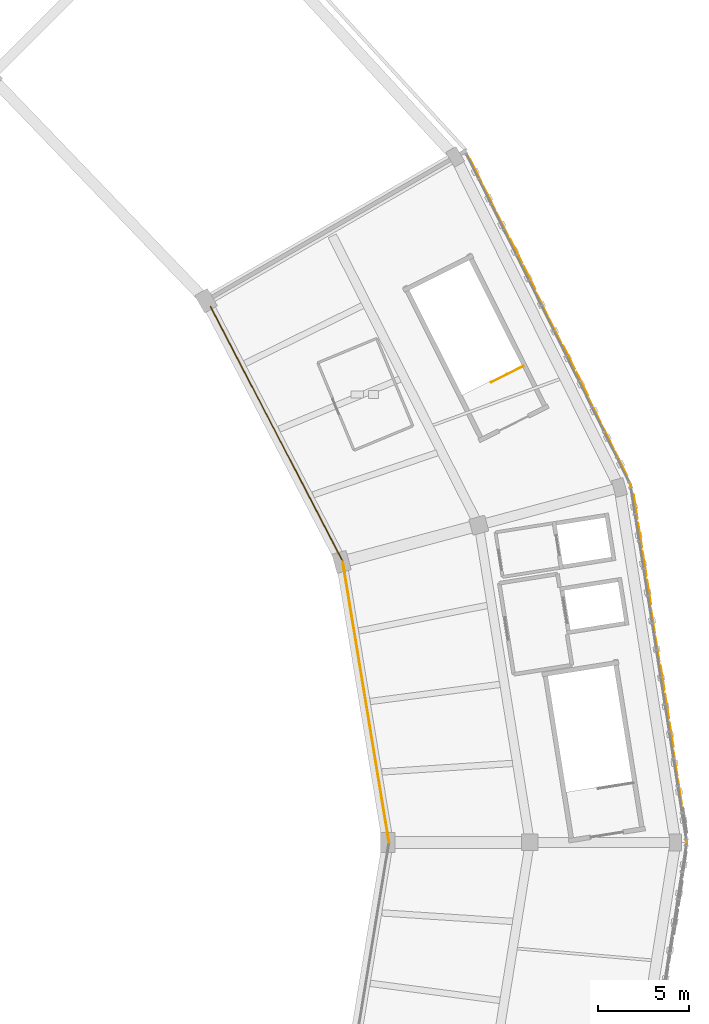
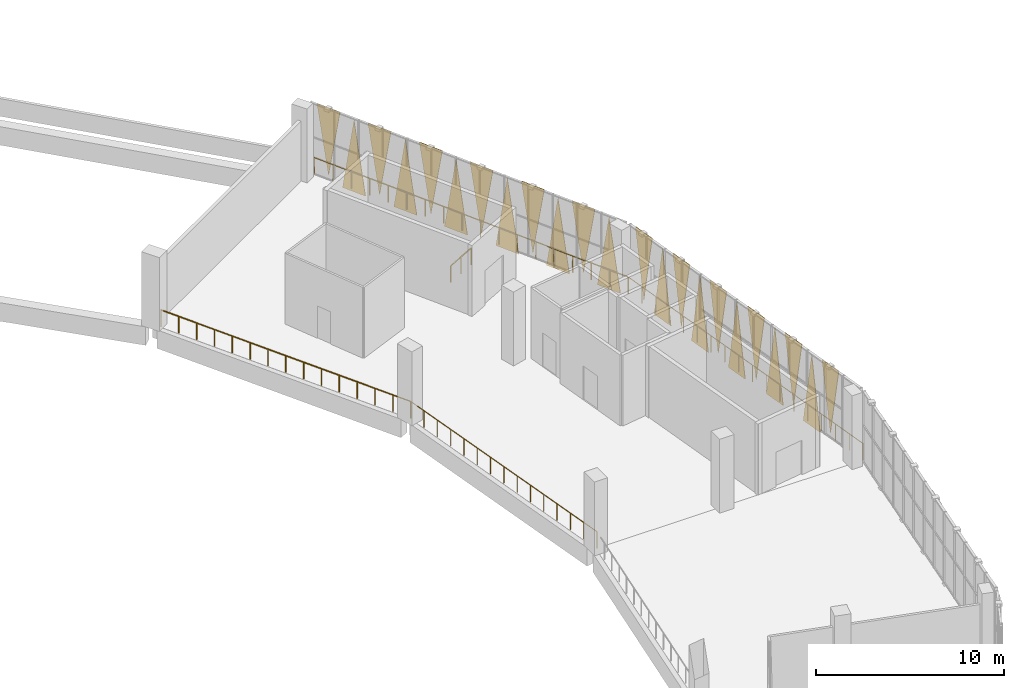
# One storey, part 61 of 64: 23 coverings, 5 railings.
"""IFC4 building model written with IfcOpenShell, lengths in metres."""

from ifc_helpers import new_model, si_unit, direction, frame, origin, origin_2d, place, context, subcontext, project, spatial, polyline, circle, outline, extrude, material, layer, layer_set, type_object, element, save


model = new_model("IFC4")

# Units and contexts
model_context = context("Model", 3, precision=1e-05, world=origin(), true_north=direction((0.0, 1.0)))
body_context = subcontext(model_context, "Body", "Model", "MODEL_VIEW")
ifc_project = project(units=[si_unit("LENGTHUNIT", "METRE"), si_unit("AREAUNIT", "SQUARE_METRE"), si_unit("VOLUMEUNIT", "CUBIC_METRE"), si_unit("PLANEANGLEUNIT", "RADIAN"), si_unit("MASSUNIT", "GRAM", prefix="KILO")], contexts=[model_context])

# Site, building, storey
site_placement = place(None, origin())
site = spatial("IfcSite", under=ifc_project, at=site_placement, CompositionType="ELEMENT")
building_placement = place(site_placement, origin())
building = spatial("IfcBuilding", under=site, at=building_placement, Name="Zevraka Park Crest Stadium", CompositionType="ELEMENT")
storey_placement = place(building_placement, frame((0.0, 0.0, 24.60009765625)))
storey = spatial("IfcBuildingStorey", under=building, at=storey_placement, Name="L05", CompositionType="ELEMENT", Elevation=24.60009765625)

# Coverings
ifc_material_1 = material(Name="Architectural golden-bronze perforated aluminium", Category="aluminium")
ifc_layer = layer(ifc_material_1, 0.034912109375)
ifc_layer_set = layer_set([ifc_layer], Name="Architectural golden-bronze perforated aluminium")
covering_type = type_object("IfcCoveringType", Name="CLD01", PredefinedType="CLADDING", material=ifc_layer_set)
covering_1_placement = place(storey_placement, frame((202.448974609375, 95.49609375, 4.599853515625), z_axis=(0.987787967989, 0.155804140708, 5.818486e-06), x_axis=(0.155804140711, -0.987787968006, 0.0)))
element("IfcCovering", 1, at=covering_1_placement, inside=storey, type_object=covering_type, Name="Triangular Golden-Bronze Perforated Cladding L05-00-2", PredefinedType="CLADDING", context=body_context, shape_type="SweptSolid", body=[
    extrude(outline(polyline([(0.0, 0.0), (1.424376958868296, 0.0), (0.7128103964239846, 4.379882812574141), (0.0, 0.0)])), origin(), (0.0, 0.0, -1.0), 0.034912109375),
])
covering_2_placement = place(storey_placement, frame((202.424072265625, 95.654052734375, -0.22021484375), z_axis=(0.987761575377, 0.155971374908, 2.0427936e-05), x_axis=(-0.15597137494, 0.987761575584, 0.0)))
element("IfcCovering", 2, at=covering_2_placement, inside=storey, type_object=covering_type, Name="Triangular Golden-Bronze Perforated Cladding L05-00-3", PredefinedType="CLADDING", context=body_context, shape_type="SweptSolid", body=[
    extrude(outline(polyline([(0.0, 0.0), (1.4244150174031942, 0.0), (0.7116046268805623, 4.660156250972343), (0.0, 0.0)])), origin(), (0.0, 0.0, -1.0), 0.034912109375),
])
covering_3_placement = place(storey_placement, frame((201.955078125, 98.6259765625, 4.599853515625), z_axis=(-0.987787967194, -0.155804140583, 4.0557424e-05), x_axis=(0.155804140711, -0.987787968006, 0.0)))
element("IfcCovering", 3, at=covering_3_placement, inside=storey, type_object=covering_type, Name="Triangular Golden-Bronze Perforated Cladding L05-00-4", PredefinedType="CLADDING", context=body_context, shape_type="SweptSolid", body=[
    extrude(outline(polyline([(0.0, 0.0), (1.424376958868296, 0.0), (0.7125311991318173, -4.379882816102245), (0.0, 0.0)])), origin(), (0.0, 0.0, -1.0), 0.034912109375),
])
covering_4_placement = place(storey_placement, frame((201.930908203125, 98.783935546875, -0.22021484375), z_axis=(-0.987787967914, -0.155804140697, 1.363096e-05), x_axis=(-0.155804140711, 0.987787968006, 0.0)))
element("IfcCovering", 4, at=covering_4_placement, inside=storey, type_object=covering_type, Name="Triangular Golden-Bronze Perforated Cladding L05-00-5", PredefinedType="CLADDING", context=body_context, shape_type="SweptSolid", body=[
    extrude(outline(polyline([(0.0, 0.0), (1.424376958868296, 0.0), (0.711807721616188, -4.660156250432936), (0.0, 0.0)])), origin(), (0.0, 0.0, -1.0), 0.034912109375),
])
covering_5_placement = place(storey_placement, frame((201.4619140625, 101.756103515625, 4.599853515625), z_axis=(-0.98776157535, -0.155971374903, 2.1735141e-05), x_axis=(0.15597137494, -0.987761575584, 0.0)))
element("IfcCovering", 5, at=covering_5_placement, inside=storey, type_object=covering_type, Name="Triangular Golden-Bronze Perforated Cladding L05-00-6", PredefinedType="CLADDING", context=body_context, shape_type="SweptSolid", body=[
    extrude(outline(polyline([(0.0, 0.0), (1.4244150174031942, -8.470329472543003e-22), (0.712810390522632, -4.3798828135345635), (0.0, 0.0)])), origin(), (0.0, 0.0, -1.0), 0.034912109375),
])
covering_6_placement = place(storey_placement, frame((201.43701171875, 101.9140625, -0.22021484375), z_axis=(0.987787967914, 0.155804140697, 1.363096e-05), x_axis=(-0.155804140711, 0.987787968006, 0.0)))
element("IfcCovering", 6, at=covering_6_placement, inside=storey, type_object=covering_type, Name="Triangular Golden-Bronze Perforated Cladding L05-00-7", PredefinedType="CLADDING", context=body_context, shape_type="SweptSolid", body=[
    extrude(outline(polyline([(0.0, 0.0), (1.424376958868296, 0.0), (0.7125692372521081, 4.660156250432936), (0.0, 0.0)])), origin(), (0.0, 0.0, -1.0), 0.034912109375),
])
covering_7_placement = place(storey_placement, frame((200.968017578125, 104.885986328125, 4.599853515625), z_axis=(0.987787966808, 0.155804140522, 4.9242159e-05), x_axis=(0.155804140711, -0.987787968006, 0.0)))
element("IfcCovering", 7, at=covering_7_placement, inside=storey, type_object=covering_type, Name="Triangular Golden-Bronze Perforated Cladding L05-00-8", PredefinedType="CLADDING", context=body_context, shape_type="SweptSolid", body=[
    extrude(outline(polyline([(0.0, 0.0), (1.424376958868296, -1.6940658945086007e-21), (0.7116046005646023, 4.37988281781015), (0.0, 0.0)])), origin(), (0.0, 0.0, -1.0), 0.034912109375),
])
covering_8_placement = place(storey_placement, frame((200.944091796875, 105.0439453125, -0.22021484375), z_axis=(-0.987761575377, -0.155971374908, 2.0427936e-05), x_axis=(-0.15597137494, 0.987761575584, 0.0)))
element("IfcCovering", 8, at=covering_8_placement, inside=storey, type_object=covering_type, Name="Triangular Golden-Bronze Perforated Cladding L05-00-9", PredefinedType="CLADDING", context=body_context, shape_type="SweptSolid", body=[
    extrude(outline(polyline([(0.0, 0.0), (1.4244150174031942, 0.0), (0.712810390522632, -4.660156250972343), (0.0, 0.0)])), origin(), (0.0, 0.0, -1.0), 0.034912109375),
])
covering_9_placement = place(storey_placement, frame((200.47509765625, 108.01611328125, 4.599853515625), z_axis=(-0.987792127663, -0.155777766142, 1.0163909e-05), x_axis=(0.155777766151, -0.987792127714, 0.0)))
element("IfcCovering", 9, at=covering_9_placement, inside=storey, type_object=covering_type, Name="Triangular Golden-Bronze Perforated Cladding L05-00-10", PredefinedType="CLADDING", context=body_context, shape_type="SweptSolid", body=[
    extrude(outline(polyline([(0.0, 0.0), (1.4246181185479923, 0.0), (0.7118077230585413, -4.379882812726232), (0.0, 0.0)])), origin(), (0.0, 0.0, -1.0), 0.034912109375),
])
covering_10_placement = place(storey_placement, frame((200.449951171875, 108.174072265625, -0.22021484375), z_axis=(-0.987787967288, -0.155804140598, 3.81182e-05), x_axis=(-0.155804140711, 0.987787968006, 0.0)))
element("IfcCovering", 10, at=covering_10_placement, inside=storey, type_object=covering_type, Name="Triangular Golden-Bronze Perforated Cladding L05-00-11", PredefinedType="CLADDING", context=body_context, shape_type="SweptSolid", body=[
    extrude(outline(polyline([(0.0, 0.0), (1.424376958868296, 0.0), (0.7125311991318173, -4.660156253385598), (0.0, 0.0)])), origin(), (0.0, 0.0, -1.0), 0.034912109375),
])
covering_11_placement = place(storey_placement, frame((199.98193359375, 111.14599609375, 4.599853515625), z_axis=(-0.987893266728, -0.155135069649, 6.0981172e-05), x_axis=(0.155135069938, -0.987893268565, 0.0)))
element("IfcCovering", 11, at=covering_11_placement, inside=storey, type_object=covering_type, Name="Triangular Golden-Bronze Perforated Cladding L05-00-12", PredefinedType="CLADDING", context=body_context, shape_type="SweptSolid", body=[
    extrude(outline(polyline([(0.0, 0.0), (1.4242251330644342, -1.6940658945086007e-21), (0.7114527921727644, -4.3798828206437435), (0.0, 0.0)])), origin(), (0.0, 0.0, -1.0), 0.034912109375),
])
covering_12_placement = place(storey_placement, frame((199.6640625, 112.14501953125, -0.22021484375), z_axis=(0.895619480658, 0.444821021261, 7.0067675e-05), x_axis=(-0.444821022353, 0.895619482857, 0.0)))
element("IfcCovering", 12, at=covering_12_placement, inside=storey, type_object=covering_type, Name="Triangular Golden-Bronze Perforated Cladding L05-01-1", PredefinedType="CLADDING", context=body_context, shape_type="SweptSolid", body=[
    extrude(outline(polyline([(0.0, 0.0), (1.4703728050326461, -6.776263578034403e-21), (0.7348033877569146, 4.660156261439471), (0.0, 0.0)])), origin(), (0.0, 0.0, -1.0), 0.034912109375),
])
covering_13_placement = place(storey_placement, frame((198.285888671875, 114.922119140625, 4.599853515625), z_axis=(0.895916762874, 0.444221935253, 0.00016199135), x_axis=(0.444221941081, -0.895916774629, 0.0)))
element("IfcCovering", 13, at=covering_13_placement, inside=storey, type_object=covering_type, Name="Triangular Golden-Bronze Perforated Cladding L05-01-2", PredefinedType="CLADDING", context=body_context, shape_type="SweptSolid", body=[
    extrude(outline(polyline([(0.0, 0.0), (1.4701573953898759, -1.3552527156068805e-20), (0.7350217347288147, 4.379882869966686), (0.0, 0.0)])), origin(), (0.0, 0.0, -1.0), 0.034912109375),
])
covering_14_placement = place(storey_placement, frame((198.215087890625, 115.06494140625, -0.22021484375), z_axis=(0.895916773061, 0.444221940304, 5.9159529e-05), x_axis=(-0.444221941081, 0.895916774629, 0.0)))
element("IfcCovering", 14, at=covering_14_placement, inside=storey, type_object=covering_type, Name="Triangular Golden-Bronze Perforated Cladding L05-01-3", PredefinedType="CLADDING", context=body_context, shape_type="SweptSolid", body=[
    extrude(outline(polyline([(0.0, 0.0), (1.4701573953898759, 0.0), (0.7358966534540385, 4.660156258154923), (0.0, 0.0)])), origin(), (0.0, 0.0, -1.0), 0.034912109375),
])
covering_15_placement = place(storey_placement, frame((196.837890625, 117.843017578125, 4.599853515625), z_axis=(-0.895916769005, -0.444221938292, 0.000112051731), x_axis=(0.444221941081, -0.895916774629, 0.0)))
element("IfcCovering", 15, at=covering_15_placement, inside=storey, type_object=covering_type, Name="Triangular Golden-Bronze Perforated Cladding L05-01-4", PredefinedType="CLADDING", context=body_context, shape_type="SweptSolid", body=[
    extrude(outline(polyline([(0.0, 0.0), (1.4701573953898759, 0.0), (0.7352441132833955, -4.379882839996008), (0.0, 0.0)])), origin(), (0.0, 0.0, -1.0), 0.034912109375),
])
covering_16_placement = place(storey_placement, frame((196.76611328125, 117.986083984375, -0.22021484375), z_axis=(-0.895883991204, -0.444288037907, 0.000116953168), x_axis=(-0.444288040945, 0.895883997331, 0.0)))
element("IfcCovering", 16, at=covering_16_placement, inside=storey, type_object=covering_type, Name="Triangular Golden-Bronze Perforated Cladding L05-01-5", PredefinedType="CLADDING", context=body_context, shape_type="SweptSolid", body=[
    extrude(outline(polyline([(0.0, 0.0), (1.469938669709407, 0.0), (0.7352440750727806, -4.66015628187091), (0.0, 0.0)])), origin(), (0.0, 0.0, -1.0), 0.034912109375),
])
covering_17_placement = place(storey_placement, frame((195.388916015625, 120.762939453125, 4.599853515625), z_axis=(0.89588398371, 0.444288034191, 0.000174374918), x_axis=(0.444288040945, -0.895883997331, 0.0)))
element("IfcCovering", 17, at=covering_17_placement, inside=storey, type_object=covering_type, Name="Triangular Golden-Bronze Perforated Cladding L05-01-6", PredefinedType="CLADDING", context=body_context, shape_type="SweptSolid", body=[
    extrude(outline(polyline([(0.0, 0.0), (1.4699386697094075, -1.3552527156068805e-20), (0.7348030633966232, 4.3798828790887), (0.0, 0.0)])), origin(), (0.0, 0.0, -1.0), 0.034912109375),
])
covering_18_placement = place(storey_placement, frame((195.318115234375, 120.906982421875, -0.22021484375), z_axis=(0.895916760829, 0.444221934239, 0.000175521099), x_axis=(-0.444221941081, 0.895916774629, 0.0)))
element("IfcCovering", 18, at=covering_18_placement, inside=storey, type_object=covering_type, Name="Triangular Golden-Bronze Perforated Cladding L05-01-7", PredefinedType="CLADDING", context=body_context, shape_type="SweptSolid", body=[
    extrude(outline(polyline([(0.0, 0.0), (1.4701573953898759, 0.0), (0.7348030050475087, 4.660156321784249), (0.0, 0.0)])), origin(), (0.0, 0.0, -1.0), 0.034912109375),
])
covering_19_placement = place(storey_placement, frame((193.94091796875, 123.68408203125, 4.599853515625), z_axis=(-0.895916766244, -0.444221936924, 0.000136813266), x_axis=(0.444221941081, -0.895916774629, 0.0)))
element("IfcCovering", 19, at=covering_19_placement, inside=storey, type_object=covering_type, Name="Triangular Golden-Bronze Perforated Cladding L05-01-8", PredefinedType="CLADDING", context=body_context, shape_type="SweptSolid", body=[
    extrude(outline(polyline([(0.0, 0.0), (1.4701573953898759, 0.0), (0.7354628429647014, -4.37988285349104), (0.0, 0.0)])), origin(), (0.0, 0.0, -1.0), 0.034912109375),
])
covering_20_placement = place(storey_placement, frame((193.868896484375, 123.826904296875, -0.22021484375), z_axis=(-0.89598285047, -0.444088626906, 0.000152042501), x_axis=(-0.444088632039, 0.895982860826, 0.0)))
element("IfcCovering", 20, at=covering_20_placement, inside=storey, type_object=covering_type, Name="Triangular Golden-Bronze Perforated Cladding L05-01-9", PredefinedType="CLADDING", context=body_context, shape_type="SweptSolid", body=[
    extrude(outline(polyline([(0.0, 0.0), (1.4700489590400176, -1.3552527156068805e-20), (0.7353545039067246, -4.660156303864236), (0.0, 0.0)])), origin(), (0.0, 0.0, -1.0), 0.034912109375),
])
covering_21_placement = place(storey_placement, frame((192.491943359375, 126.60498046875, 4.599853515625), z_axis=(0.89588399479, 0.444288039685, 7.5314042e-05), x_axis=(0.444288040945, -0.895883997331, 0.0)))
element("IfcCovering", 21, at=covering_21_placement, inside=storey, type_object=covering_type, Name="Triangular Golden-Bronze Perforated Cladding L05-01-10", PredefinedType="CLADDING", context=body_context, shape_type="SweptSolid", body=[
    extrude(outline(polyline([(0.0, 0.0), (1.469938669709407, 0.0), (0.7356779501127663, 4.379882824921798), (0.0, 0.0)])), origin(), (0.0, 0.0, -1.0), 0.034912109375),
])
covering_22_placement = place(storey_placement, frame((192.4208984375, 126.748046875, -0.22021484375), z_axis=(0.895950091947, 0.444154717439, 0.000140413329), x_axis=(-0.444154721818, 0.89595010078, 0.0)))
element("IfcCovering", 22, at=covering_22_placement, inside=storey, type_object=covering_type, Name="Triangular Golden-Bronze Perforated Cladding L05-01-11", PredefinedType="CLADDING", context=body_context, shape_type="SweptSolid", body=[
    extrude(outline(polyline([(0.0, 0.0), (1.4698302172231181, 0.0), (0.7346945053991754, 4.660156295939595), (0.0, 0.0)])), origin(), (0.0, 0.0, -1.0), 0.034912109375),
])
covering_23_placement = place(storey_placement, frame((191.04296875, 129.52490234375, 4.599853515625), z_axis=(0.895619480368, 0.444821021117, 7.4551381e-05), x_axis=(0.444821022353, -0.895619482857, 0.0)))
element("IfcCovering", 23, at=covering_23_placement, inside=storey, type_object=covering_type, Name="Triangular Golden-Bronze Perforated Cladding L05-01-12", PredefinedType="CLADDING", context=body_context, shape_type="SweptSolid", body=[
    extrude(outline(polyline([(0.0, 0.0), (1.4703728050326461, 0.0), (0.7348033877569146, 4.379882824671494), (0.0, 0.0)])), origin(), (0.0, 0.0, -1.0), 0.034912109375),
])

# Railings
ifc_material_2 = material(Name="Galvanised and bronze-finished steel balustrade", Category="steel")
railing_type_1 = type_object("IfcRailingType", Name="GR01", PredefinedType="GUARDRAIL", material=ifc_material_2)
railing_1_placement = place(storey_placement, frame((186.569091796875, 91.9970703125, 0.0)))
element("IfcRailing", 24, at=railing_1_placement, inside=storey, type_object=railing_type_1, Name="Deck Edge Protection Guardrail GR01 L05-3", PredefinedType="GUARDRAIL", context=body_context, shape_type="SweptSolid", body=[
    extrude(circle(Radius=0.02392578125, at=origin_2d()), frame((0.0, 0.0, 1.076171875), z_axis=(-0.162649137145, 0.986683970776, 0.0), x_axis=(-0.986683970776, -0.162649137145, 0.0)), (0.0, 0.0, 1.0), 15.63623046875),
    extrude(circle(Radius=0.02099609375, at=origin_2d()), origin(), (0.0, 0.0, 1.0), 1.052001953125),
    extrude(circle(Radius=0.02099609375, at=origin_2d()), frame((-0.181640625, 1.10205078125, 0.0)), (0.0, 0.0, 1.0), 1.052001953125),
    extrude(circle(Radius=0.02099609375, at=origin_2d()), frame((-0.36328125, 2.2041015625, 0.0)), (0.0, 0.0, 1.0), 1.052001953125),
    extrude(circle(Radius=0.02099609375, at=origin_2d()), frame((-0.544921875, 3.305908203125, 0.0)), (0.0, 0.0, 1.0), 1.052001953125),
    extrude(circle(Radius=0.02099609375, at=origin_2d()), frame((-0.7265625, 4.407958984375, 0.0)), (0.0, 0.0, 1.0), 1.052001953125),
    extrude(circle(Radius=0.02099609375, at=origin_2d()), frame((-0.908203125, 5.510009765625, 0.0)), (0.0, 0.0, 1.0), 1.052001953125),
    extrude(circle(Radius=0.02099609375, at=origin_2d()), frame((-1.08984375, 6.612060546875, 0.0)), (0.0, 0.0, 1.0), 1.052001953125),
    extrude(circle(Radius=0.02099609375, at=origin_2d()), frame((-1.271484375, 7.7138671875, 0.0)), (0.0, 0.0, 1.0), 1.052001953125),
    extrude(circle(Radius=0.02099609375, at=origin_2d()), frame((-1.453369140625, 8.81591796875, 0.0)), (0.0, 0.0, 1.0), 1.052001953125),
    extrude(circle(Radius=0.02099609375, at=origin_2d()), frame((-1.635009765625, 9.91796875, 0.0)), (0.0, 0.0, 1.0), 1.052001953125),
    extrude(circle(Radius=0.02099609375, at=origin_2d()), frame((-1.816650390625, 11.02001953125, 0.0)), (0.0, 0.0, 1.0), 1.052001953125),
    extrude(circle(Radius=0.02099609375, at=origin_2d()), frame((-1.998291015625, 12.1220703125, 0.0)), (0.0, 0.0, 1.0), 1.052001953125),
    extrude(circle(Radius=0.02099609375, at=origin_2d()), frame((-2.179931640625, 13.223876953125, 0.0)), (0.0, 0.0, 1.0), 1.052001953125),
    extrude(circle(Radius=0.02099609375, at=origin_2d()), frame((-2.361572265625, 14.325927734375, 0.0)), (0.0, 0.0, 1.0), 1.052001953125),
    extrude(circle(Radius=0.02099609375, at=origin_2d()), frame((-2.543212890625, 15.427978515625, 0.0)), (0.0, 0.0, 1.0), 1.052001953125),
])
railing_2_placement = place(storey_placement, frame((184.02587890625, 107.425048828125, 0.0)))
element("IfcRailing", 25, at=railing_2_placement, inside=storey, type_object=railing_type_1, Name="Deck Edge Protection Guardrail GR01 L05-4", PredefinedType="GUARDRAIL", context=body_context, shape_type="SweptSolid", body=[
    extrude(circle(Radius=0.02392578125, at=origin_2d()), frame((0.0, 0.0, 1.076171875), z_axis=(-0.460360955046, 0.887731823846, 0.0), x_axis=(-0.887731823846, -0.460360955046, 0.0)), (0.0, 0.0, 1.0), 15.78515625),
    extrude(circle(Radius=0.02099609375, at=origin_2d()), origin(), (0.0, 0.0, 1.0), 1.052001953125),
    extrude(circle(Radius=0.02099609375, at=origin_2d()), frame((-0.51904296875, 1.0009765625, 0.0)), (0.0, 0.0, 1.0), 1.052001953125),
    extrude(circle(Radius=0.02099609375, at=origin_2d()), frame((-1.0380859375, 2.001953125, 0.0)), (0.0, 0.0, 1.0), 1.052001953125),
    extrude(circle(Radius=0.02099609375, at=origin_2d()), frame((-1.55712890625, 3.002685546875, 0.0)), (0.0, 0.0, 1.0), 1.052001953125),
    extrude(circle(Radius=0.02099609375, at=origin_2d()), frame((-2.076171875, 4.003662109375, 0.0)), (0.0, 0.0, 1.0), 1.052001953125),
    extrude(circle(Radius=0.02099609375, at=origin_2d()), frame((-2.59521484375, 5.004638671875, 0.0)), (0.0, 0.0, 1.0), 1.052001953125),
    extrude(circle(Radius=0.02099609375, at=origin_2d()), frame((-3.1142578125, 6.005615234375, 0.0)), (0.0, 0.0, 1.0), 1.052001953125),
    extrude(circle(Radius=0.02099609375, at=origin_2d()), frame((-3.63330078125, 7.00634765625, 0.0)), (0.0, 0.0, 1.0), 1.052001953125),
    extrude(circle(Radius=0.02099609375, at=origin_2d()), frame((-4.152587890625, 8.00732421875, 0.0)), (0.0, 0.0, 1.0), 1.052001953125),
    extrude(circle(Radius=0.02099609375, at=origin_2d()), frame((-4.671630859375, 9.00830078125, 0.0)), (0.0, 0.0, 1.0), 1.052001953125),
    extrude(circle(Radius=0.02099609375, at=origin_2d()), frame((-5.190673828125, 10.00927734375, 0.0)), (0.0, 0.0, 1.0), 1.052001953125),
    extrude(circle(Radius=0.02099609375, at=origin_2d()), frame((-5.709716796875, 11.01025390625, 0.0)), (0.0, 0.0, 1.0), 1.052001953125),
    extrude(circle(Radius=0.02099609375, at=origin_2d()), frame((-6.228759765625, 12.010986328125, 0.0)), (0.0, 0.0, 1.0), 1.052001953125),
    extrude(circle(Radius=0.02099609375, at=origin_2d()), frame((-6.747802734375, 13.011962890625, 0.0)), (0.0, 0.0, 1.0), 1.052001953125),
    extrude(circle(Radius=0.02099609375, at=origin_2d()), frame((-7.266845703125, 14.012939453125, 0.0)), (0.0, 0.0, 1.0), 1.052001953125),
])
railing_3_placement = place(storey_placement, frame((190.9208984375, 129.614990234375, 0.0)))
element("IfcRailing", 26, at=railing_3_placement, inside=storey, type_object=railing_type_1, Name="Deck Edge Protection Guardrail GR01 L05-5", PredefinedType="GUARDRAIL", context=body_context, shape_type="SweptSolid", body=[
    extrude(circle(Radius=0.02392578125, at=origin_2d()), frame((0.0, 0.0, 1.076171875), z_axis=(0.444343152442, -0.895856664248, 0.0), x_axis=(0.895856664248, 0.444343152442, 0.0)), (0.0, 0.0, 1.0), 20.0546875),
    extrude(circle(Radius=0.02099609375, at=origin_2d()), origin(), (0.0, 0.0, 1.0), 1.052001953125),
    extrude(circle(Radius=0.02099609375, at=origin_2d()), frame((0.524169921875, -1.056884765625, 0.0)), (0.0, 0.0, 1.0), 1.052001953125),
    extrude(circle(Radius=0.02099609375, at=origin_2d()), frame((1.04833984375, -2.11376953125, 0.0)), (0.0, 0.0, 1.0), 1.052001953125),
    extrude(circle(Radius=0.02099609375, at=origin_2d()), frame((1.572509765625, -3.17041015625, 0.0)), (0.0, 0.0, 1.0), 1.052001953125),
    extrude(circle(Radius=0.02099609375, at=origin_2d()), frame((2.0966796875, -4.227294921875, 0.0)), (0.0, 0.0, 1.0), 1.052001953125),
    extrude(circle(Radius=0.02099609375, at=origin_2d()), frame((2.620849609375, -5.2841796875, 0.0)), (0.0, 0.0, 1.0), 1.052001953125),
    extrude(circle(Radius=0.02099609375, at=origin_2d()), frame((3.14501953125, -6.341064453125, 0.0)), (0.0, 0.0, 1.0), 1.052001953125),
    extrude(circle(Radius=0.02099609375, at=origin_2d()), frame((3.669189453125, -7.397705078125, 0.0)), (0.0, 0.0, 1.0), 1.052001953125),
    extrude(circle(Radius=0.02099609375, at=origin_2d()), frame((4.193359375, -8.45458984375, 0.0)), (0.0, 0.0, 1.0), 1.052001953125),
    extrude(circle(Radius=0.02099609375, at=origin_2d()), frame((4.7177734375, -9.511474609375, 0.0)), (0.0, 0.0, 1.0), 1.052001953125),
    extrude(circle(Radius=0.02099609375, at=origin_2d()), frame((5.241943359375, -10.568359375, 0.0)), (0.0, 0.0, 1.0), 1.052001953125),
    extrude(circle(Radius=0.02099609375, at=origin_2d()), frame((5.76611328125, -11.625, 0.0)), (0.0, 0.0, 1.0), 1.052001953125),
    extrude(circle(Radius=0.02099609375, at=origin_2d()), frame((6.290283203125, -12.681884765625, 0.0)), (0.0, 0.0, 1.0), 1.052001953125),
    extrude(circle(Radius=0.02099609375, at=origin_2d()), frame((6.814453125, -13.73876953125, 0.0)), (0.0, 0.0, 1.0), 1.052001953125),
    extrude(circle(Radius=0.02099609375, at=origin_2d()), frame((7.338623046875, -14.795654296875, 0.0)), (0.0, 0.0, 1.0), 1.052001953125),
    extrude(circle(Radius=0.02099609375, at=origin_2d()), frame((7.86279296875, -15.852294921875, 0.0)), (0.0, 0.0, 1.0), 1.052001953125),
    extrude(circle(Radius=0.02099609375, at=origin_2d()), frame((8.386962890625, -16.9091796875, 0.0)), (0.0, 0.0, 1.0), 1.052001953125),
    extrude(circle(Radius=0.02099609375, at=origin_2d()), frame((8.9111328125, -17.966064453125, 0.0)), (0.0, 0.0, 1.0), 1.052001953125),
])
railing_4_placement = place(storey_placement, frame((199.83203125, 111.64892578125, 0.0)))
element("IfcRailing", 27, at=railing_4_placement, inside=storey, type_object=railing_type_1, Name="Deck Edge Protection Guardrail GR01 L05-6", PredefinedType="GUARDRAIL", context=body_context, shape_type="SweptSolid", body=[
    extrude(circle(Radius=0.02392578125, at=origin_2d()), frame((0.0, 0.0, 1.076171875), z_axis=(0.155690922418, -0.987805819317, 0.0), x_axis=(0.987805819317, 0.155690922418, 0.0)), (0.0, 0.0, 1.0), 19.8916015625),
    extrude(circle(Radius=0.02099609375, at=origin_2d()), origin(), (0.0, 0.0, 1.0), 1.052001953125),
    extrude(circle(Radius=0.02099609375, at=origin_2d()), frame((0.18212890625, -1.15576171875, 0.0)), (0.0, 0.0, 1.0), 1.052001953125),
    extrude(circle(Radius=0.02099609375, at=origin_2d()), frame((0.3642578125, -2.3115234375, 0.0)), (0.0, 0.0, 1.0), 1.052001953125),
    extrude(circle(Radius=0.02099609375, at=origin_2d()), frame((0.546630859375, -3.467529296875, 0.0)), (0.0, 0.0, 1.0), 1.052001953125),
    extrude(circle(Radius=0.02099609375, at=origin_2d()), frame((0.728759765625, -4.623291015625, 0.0)), (0.0, 0.0, 1.0), 1.052001953125),
    extrude(circle(Radius=0.02099609375, at=origin_2d()), frame((0.910888671875, -5.779052734375, 0.0)), (0.0, 0.0, 1.0), 1.052001953125),
    extrude(circle(Radius=0.02099609375, at=origin_2d()), frame((1.093017578125, -6.934814453125, 0.0)), (0.0, 0.0, 1.0), 1.052001953125),
    extrude(circle(Radius=0.02099609375, at=origin_2d()), frame((1.275146484375, -8.0908203125, 0.0)), (0.0, 0.0, 1.0), 1.052001953125),
    extrude(circle(Radius=0.02099609375, at=origin_2d()), frame((1.457275390625, -9.24658203125, 0.0)), (0.0, 0.0, 1.0), 1.052001953125),
    extrude(circle(Radius=0.02099609375, at=origin_2d()), frame((1.6396484375, -10.40234375, 0.0)), (0.0, 0.0, 1.0), 1.052001953125),
    extrude(circle(Radius=0.02099609375, at=origin_2d()), frame((1.82177734375, -11.55810546875, 0.0)), (0.0, 0.0, 1.0), 1.052001953125),
    extrude(circle(Radius=0.02099609375, at=origin_2d()), frame((2.00390625, -12.714111328125, 0.0)), (0.0, 0.0, 1.0), 1.052001953125),
    extrude(circle(Radius=0.02099609375, at=origin_2d()), frame((2.18603515625, -13.869873046875, 0.0)), (0.0, 0.0, 1.0), 1.052001953125),
    extrude(circle(Radius=0.02099609375, at=origin_2d()), frame((2.3681640625, -15.025634765625, 0.0)), (0.0, 0.0, 1.0), 1.052001953125),
    extrude(circle(Radius=0.02099609375, at=origin_2d()), frame((2.55029296875, -16.181396484375, 0.0)), (0.0, 0.0, 1.0), 1.052001953125),
    extrude(circle(Radius=0.02099609375, at=origin_2d()), frame((2.732666015625, -17.33740234375, 0.0)), (0.0, 0.0, 1.0), 1.052001953125),
    extrude(circle(Radius=0.02099609375, at=origin_2d()), frame((2.914794921875, -18.4931640625, 0.0)), (0.0, 0.0, 1.0), 1.052001953125),
    extrude(circle(Radius=0.02099609375, at=origin_2d()), frame((3.096923828125, -19.64892578125, 0.0)), (0.0, 0.0, 1.0), 1.052001953125),
])
ifc_material_3 = material(Name="Powder-coated tubular steel stairwell guard", Category="steel")
railing_type_2 = type_object("IfcRailingType", Name="GR03", PredefinedType="GUARDRAIL", material=ifc_material_3)
railing_5_placement = place(storey_placement, frame((193.93359375, 118.152587890625, 0.0)))
element("IfcRailing", 28, at=railing_5_placement, inside=storey, type_object=railing_type_2, Name="L05 ST02 top well guard 1", PredefinedType="GUARDRAIL", context=body_context, shape_type="SweptSolid", body=[
    extrude(circle(Radius=0.02392578125, at=origin_2d()), frame((0.0, 0.0, 1.076171875), z_axis=(-0.89407815629, -0.447910984957, 0.0), x_axis=(0.447910984957, -0.89407815629, 0.0)), (0.0, 0.0, 1.0), 1.9599609375),
    extrude(circle(Radius=0.02099609375, at=origin_2d()), origin(), (0.0, 0.0, 1.0), 1.052001953125),
    extrude(circle(Radius=0.02099609375, at=origin_2d()), frame((-0.876220703125, -0.43896484375, 0.0)), (0.0, 0.0, 1.0), 1.052001953125),
    extrude(circle(Radius=0.02099609375, at=origin_2d()), frame((-1.75244140625, -0.8779296875, 0.0)), (0.0, 0.0, 1.0), 1.052001953125),
])

save(model, "model.ifc")
